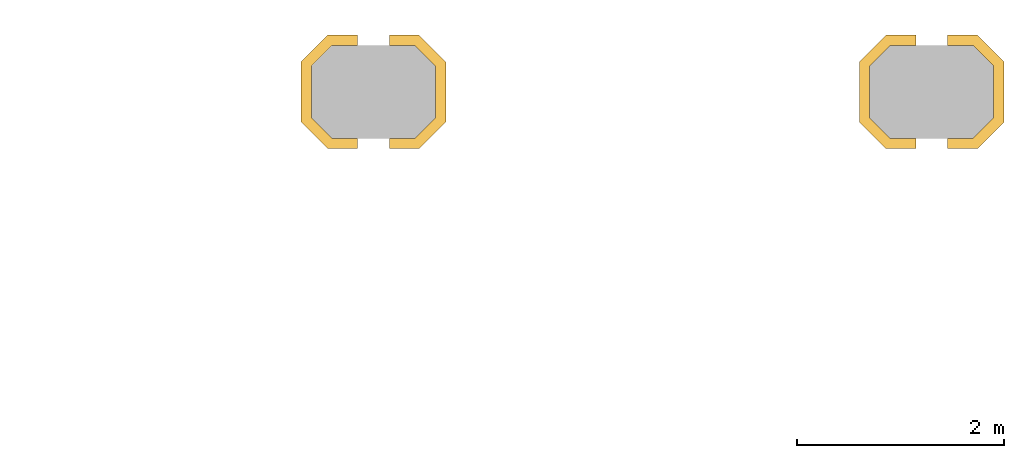
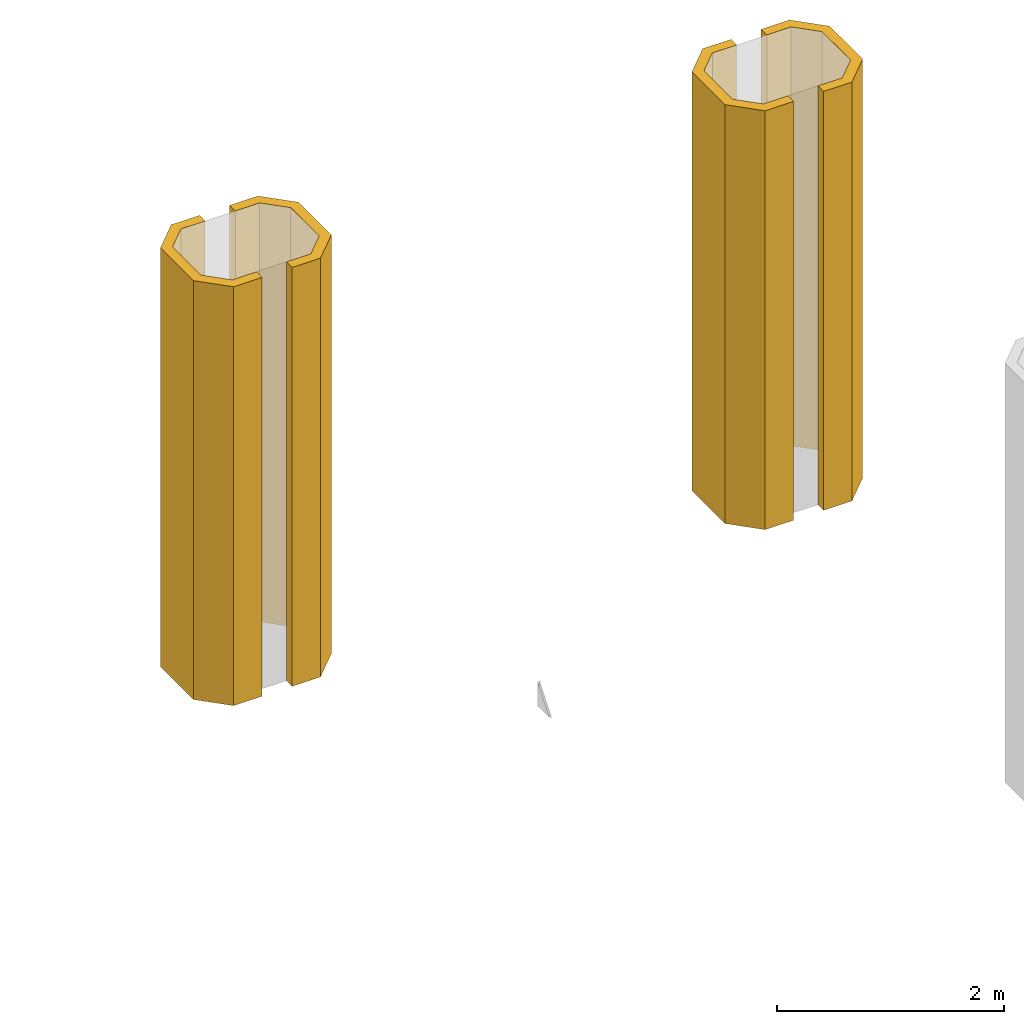
# One storey, part 23 of 23: 4 coverings.
"""IFC4 building model written with IfcOpenShell, lengths in metres."""

from ifc_helpers import new_model, si_unit, direction, frame, origin, place, context, subcontext, project, spatial, polyline, outline, extrude, material, layer, layer_set, type_object, element, save


model = new_model("IFC4")

# Units and contexts
model_context = context("Model", 3, precision=1e-05, world=origin(), true_north=direction((0.0, 1.0)))
body_context = subcontext(model_context, "Body", "Model", "MODEL_VIEW")
ifc_project = project(units=[si_unit("LENGTHUNIT", "METRE"), si_unit("AREAUNIT", "SQUARE_METRE"), si_unit("VOLUMEUNIT", "CUBIC_METRE"), si_unit("PLANEANGLEUNIT", "RADIAN"), si_unit("MASSUNIT", "GRAM", prefix="KILO")], contexts=[model_context])

# Site, building, storey
site_placement = place(None, origin())
site = spatial("IfcSite", under=ifc_project, at=site_placement, CompositionType="ELEMENT")
building_placement = place(site_placement, origin())
building = spatial("IfcBuilding", under=site, at=building_placement, Name="Tabaq Tower and Sports Hall", CompositionType="ELEMENT")
storey_placement = place(building_placement, frame((0.0, 0.0, 29.10009765625)))
storey = spatial("IfcBuildingStorey", under=building, at=storey_placement, Name="L05", CompositionType="ELEMENT", Elevation=29.10009765625)

# Coverings
ifc_material = material(Name="Precast concrete C60/75", Category="concrete")
ifc_layer = layer(ifc_material, 0.10009765625)
ifc_layer_set = layer_set([ifc_layer], Name="Column cladding 100")
covering_type = type_object("IfcCoveringType", Name="Column cladding 100", PredefinedType="CLADDING", material=ifc_layer_set)
covering_1_placement = place(storey_placement, origin())
element("IfcCovering", 1, at=covering_1_placement, inside=storey, type_object=covering_type, Name="Column cladding L05 HC-23I", PredefinedType="CLADDING", context=body_context, shape_type="SweptSolid", body=[
    extrude(outline(polyline([(119.2412109375, 43.749755859375), (119.499755859375, 43.4912109375), (119.499755859375, 42.90869140625), (119.2412109375, 42.650390625), (118.952880859375, 42.650390625), (118.952880859375, 42.749755859375), (119.2001953125, 42.749755859375), (119.400390625, 42.949951171875), (119.400390625, 43.4501953125), (119.2001953125, 43.650390625), (118.952880859375, 43.650390625), (118.952880859375, 43.749755859375), (119.2412109375, 43.749755859375)])), origin(), (0.0, 0.0, 1.0), 4.5),
])
covering_2_placement = place(storey_placement, origin())
element("IfcCovering", 2, at=covering_2_placement, inside=storey, type_object=covering_type, Name="Column cladding L05 HC-23I 2", PredefinedType="CLADDING", context=body_context, shape_type="SweptSolid", body=[
    extrude(outline(polyline([(118.100341796875, 43.4912109375), (118.358642578125, 43.749755859375), (118.64697265625, 43.749755859375), (118.64697265625, 43.650390625), (118.39990234375, 43.650390625), (118.19970703125, 43.4501953125), (118.19970703125, 42.949951171875), (118.39990234375, 42.749755859375), (118.64697265625, 42.749755859375), (118.64697265625, 42.650390625), (118.358642578125, 42.650390625), (118.100341796875, 42.90869140625), (118.100341796875, 43.4912109375)])), origin(), (0.0, 0.0, 1.0), 4.5),
])
covering_3_placement = place(storey_placement, origin())
element("IfcCovering", 3, at=covering_3_placement, inside=storey, type_object=covering_type, Name="Column cladding L05 HC-24I", PredefinedType="CLADDING", context=body_context, shape_type="SweptSolid", body=[
    extrude(outline(polyline([(124.641357421875, 43.749755859375), (124.899658203125, 43.4912109375), (124.899658203125, 42.90869140625), (124.641357421875, 42.650390625), (124.35302734375, 42.650390625), (124.35302734375, 42.749755859375), (124.60009765625, 42.749755859375), (124.80029296875, 42.949951171875), (124.80029296875, 43.4501953125), (124.60009765625, 43.650390625), (124.35302734375, 43.650390625), (124.35302734375, 43.749755859375), (124.641357421875, 43.749755859375)])), origin(), (0.0, 0.0, 1.0), 4.5),
])
covering_4_placement = place(storey_placement, origin())
element("IfcCovering", 4, at=covering_4_placement, inside=storey, type_object=covering_type, Name="Column cladding L05 HC-24I 2", PredefinedType="CLADDING", context=body_context, shape_type="SweptSolid", body=[
    extrude(outline(polyline([(123.500244140625, 43.4912109375), (123.7587890625, 43.749755859375), (124.047119140625, 43.749755859375), (124.047119140625, 43.650390625), (123.7998046875, 43.650390625), (123.599609375, 43.4501953125), (123.599609375, 42.949951171875), (123.7998046875, 42.749755859375), (124.047119140625, 42.749755859375), (124.047119140625, 42.650390625), (123.7587890625, 42.650390625), (123.500244140625, 42.90869140625), (123.500244140625, 43.4912109375)])), origin(), (0.0, 0.0, 1.0), 4.5),
])

save(model, "model.ifc")
